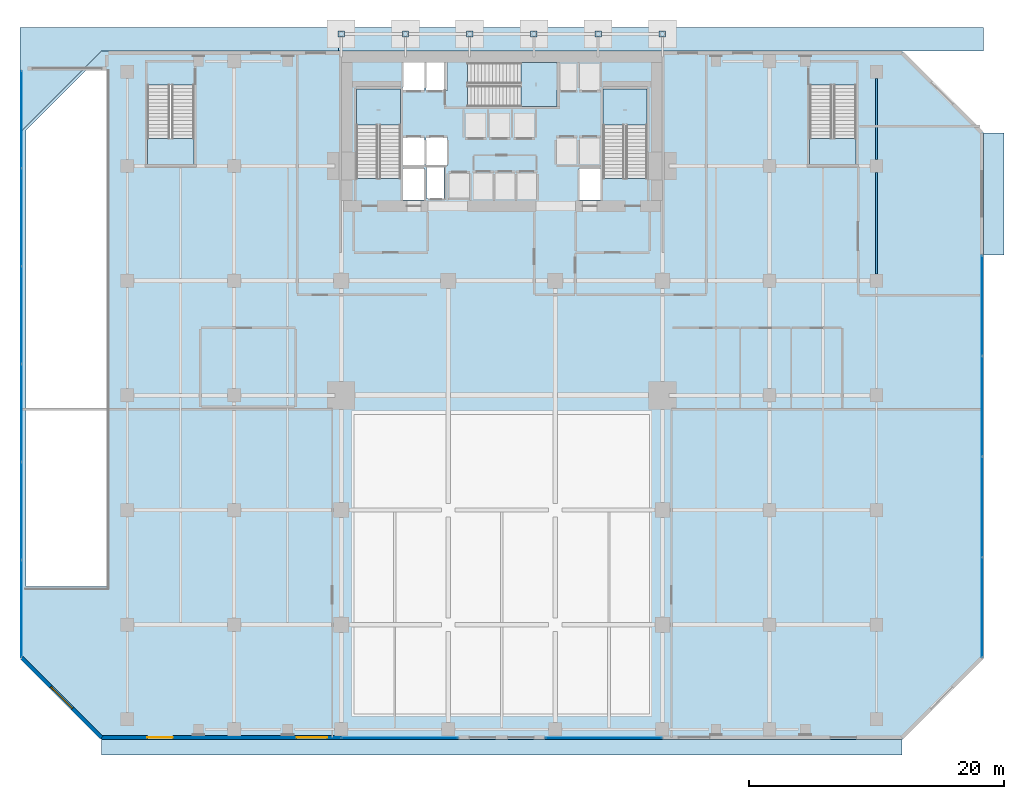
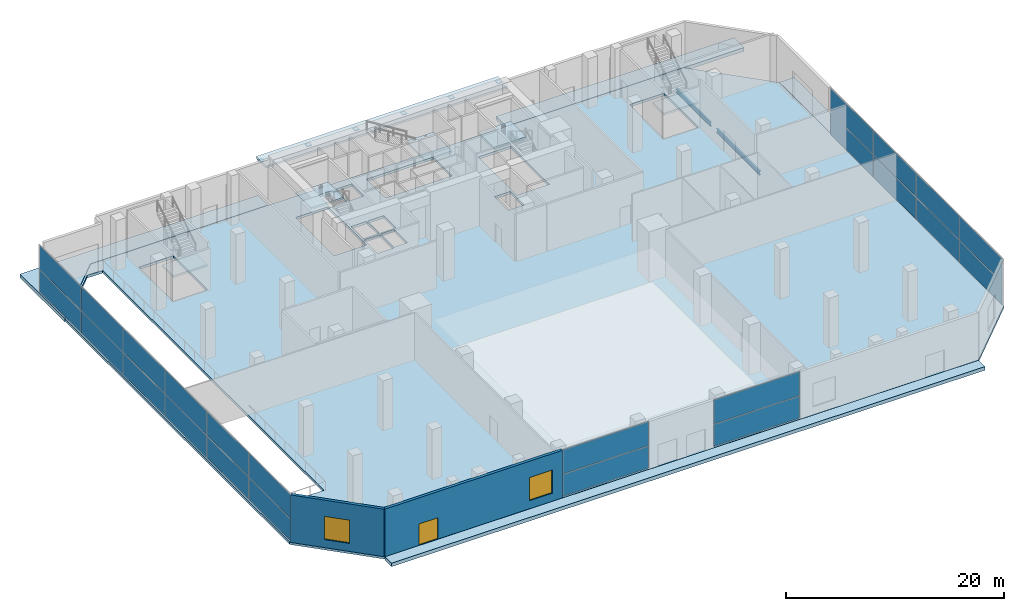
# One storey, part 26 of 35: 30 plates, 11 slabs, 2 beams, 2 walls, 2 windows, 1 door, 3 openings, 9 elements without a shape of their own.
"""IFC4 building model written with IfcOpenShell, lengths in metres."""

from ifc_helpers import new_model, si_unit, direction, frame, frame_2d, origin, origin_2d, place, context, subcontext, project, spatial, polyline, rectangle, i_section, outline, extrude, material, layer, layer_set, material_profile, profile_set, type_object, element, fill, aggregate, save


model = new_model("IFC4")

# Units and contexts
model_context = context("Model", 3, precision=1e-05, world=origin(), true_north=direction((0.0, 1.0)))
body_context = subcontext(model_context, "Body", "Model", "MODEL_VIEW")
ifc_project = project(units=[si_unit("LENGTHUNIT", "METRE"), si_unit("AREAUNIT", "SQUARE_METRE"), si_unit("VOLUMEUNIT", "CUBIC_METRE"), si_unit("PLANEANGLEUNIT", "RADIAN"), si_unit("MASSUNIT", "GRAM", prefix="KILO")], contexts=[model_context])

# Site, building, storey
site_placement = place(None, origin())
site = spatial("IfcSite", under=ifc_project, at=site_placement, CompositionType="ELEMENT")
building_placement = place(site_placement, origin())
building = spatial("IfcBuilding", under=site, at=building_placement, Name="Maruvema Waterfront Hotel and Observation Tower", CompositionType="ELEMENT")
storey_placement = place(building_placement, origin())
storey = spatial("IfcBuildingStorey", under=building, at=storey_placement, Name="L00", CompositionType="ELEMENT", Elevation=0.0)

# Beams
ifc_material_1 = material(Name="Steel ASTM A572 Grade 50", Category="steel")
ifc_material_profile = material_profile(ifc_material_1, i_section(OverallWidth=0.18994140625, OverallDepth=0.45703125, WebThickness=0.009033203125, FlangeThickness=0.014404296875, FilletRadius=0.014892578125, at=origin_2d()), Name="W460x74.0")
ifc_profile_set = profile_set([ifc_material_profile], Name="Steel ASTM A572 Grade 50")
beam_type = type_object("IfcBeamType", Name="Perimeter Spandrel Beam W460x74.0", PredefinedType="SPANDREL", material=ifc_profile_set)
beam_1_placement = place(storey_placement, frame((67.199951171875, 36.52490234375, -0.508544921875), z_axis=(0.0, 1.0, 0.0), x_axis=(-1.0, 0.0, 0.0)))
element("IfcBeam", 1, at=beam_1_placement, inside=storey, type_object=beam_type, Name="L00 Floor Girder NS-39", PredefinedType="SPANDREL", context=body_context, shape_type="SweptSolid", body=[
    extrude(i_section(OverallWidth=0.18994140625, OverallDepth=0.45703125, WebThickness=0.009033203125, FlangeThickness=0.014404296875, FilletRadius=0.014892578125, at=origin_2d()), origin(), (0.0, 0.0, 1.0), 7.9501953125),
])
beam_2_placement = place(storey_placement, frame((67.199951171875, 45.52490234375, -0.508544921875), z_axis=(0.0, 1.0, 0.0), x_axis=(-1.0, 0.0, 0.0)))
element("IfcBeam", 2, at=beam_2_placement, inside=storey, type_object=beam_type, Name="L00 Floor Girder NS-40", PredefinedType="SPANDREL", context=body_context, shape_type="SweptSolid", body=[
    extrude(i_section(OverallWidth=0.18994140625, OverallDepth=0.45703125, WebThickness=0.009033203125, FlangeThickness=0.014404296875, FilletRadius=0.014892578125, at=origin_2d()), origin(), (0.0, 0.0, 1.0), 6.35009765625),
])

# Slabs
ifc_material_2 = material(Name="Concrete C60/75", Category="concrete")
ifc_layer_1 = layer(ifc_material_2, 0.39990234375, Name="Basement Structural Base Slab 400 mm")
ifc_layer_set_1 = layer_set([ifc_layer_1], Name="Concrete C60/75")
slab_type_1 = type_object("IfcSlabType", Name="Basement Structural Base Slab 400 mm", PredefinedType="BASESLAB", material=ifc_layer_set_1)
slab_1_placement = place(storey_placement, frame((0.0, 0.0, -0.39990234375)))
element("IfcSlab", 3, at=slab_1_placement, inside=storey, type_object=slab_type_1, Name="L00 North-West Outdoor Ramp and Exit Apron Slab", PredefinedType="BASESLAB", context=body_context, shape_type="SweptSolid", body=[
    extrude(outline(polyline([(0.0, 55.85009765625), (25.199951171875, 55.85009765625), (25.199951171875, 54.02001953125), (6.3916015625, 54.02001953125), (0.0, 47.62841796875), (0.0, 55.85009765625)])), origin(), (0.0, 0.0, 1.0), 0.39990234375),
])
slab_2_placement = place(storey_placement, frame((0.0, 0.0, -0.39990234375)))
element("IfcSlab", 4, at=slab_2_placement, inside=storey, type_object=slab_type_1, Name="L00 North-East Outdoor Exit Apron Slab", PredefinedType="BASESLAB", context=body_context, shape_type="SweptSolid", body=[
    extrude(outline(polyline([(50.39990234375, 54.010009765625), (75.60009765625, 54.010009765625), (75.60009765625, 55.85009765625), (50.39990234375, 55.85009765625), (50.39990234375, 54.010009765625)])), origin(), (0.0, 0.0, 1.0), 0.39990234375),
])
slab_3_placement = place(storey_placement, frame((0.0, 0.0, -0.39990234375)))
element("IfcSlab", 5, at=slab_3_placement, inside=storey, type_object=slab_type_1, Name="L00 South Waterfront Outdoor Promenade Apron Slab", PredefinedType="BASESLAB", context=body_context, shape_type="SweptSolid", body=[
    extrude(outline(polyline([(6.39990234375, -1.199951171875), (69.199951171875, -1.199951171875), (69.199951171875, -0.010009765625), (6.39990234375, -0.010009765625), (6.39990234375, -1.199951171875)])), origin(), (0.0, 0.0, 1.0), 0.39990234375),
])
slab_4_placement = place(storey_placement, frame((0.0, 0.0, -0.39990234375)))
element("IfcSlab", 6, at=slab_4_placement, inside=storey, type_object=slab_type_1, Name="L00 East Service Loading Dock Outdoor Apron Slab", PredefinedType="BASESLAB", context=body_context, shape_type="SweptSolid", body=[
    extrude(outline(polyline([(75.610107421875, 38.0), (77.199951171875, 38.0), (77.199951171875, 47.60009765625), (75.610107421875, 47.60009765625), (75.610107421875, 38.0)])), origin(), (0.0, 0.0, 1.0), 0.39990234375),
])
ifc_material_3 = material(Name="Precast concrete C45/55", Category="concrete")
ifc_layer_2 = layer(ifc_material_3, 0.219970703125, Name="Entrance Canopy Roof Slab 220 mm")
ifc_layer_set_2 = layer_set([ifc_layer_2], Name="Precast concrete C45/55")
slab_type_2 = type_object("IfcSlabType", Name="Entrance Canopy Roof Slab 220 mm", PredefinedType="ROOF", material=ifc_layer_set_2)
slab_5_placement = place(storey_placement, frame((0.0, 0.0, 4.199951171875)))
element("IfcSlab", 7, at=slab_5_placement, inside=storey, type_object=slab_type_2, Name="L00 North Promenade Entrance Canopy Slab", PredefinedType="ROOF", context=body_context, shape_type="SweptSolid", body=[
    extrude(outline(polyline([(25.0, 54.02001953125), (50.60009765625, 54.02001953125), (50.60009765625, 55.85009765625), (25.0, 55.85009765625), (25.0, 54.02001953125)])), origin(), (0.0, 0.0, 1.0), 0.219970703125),
])

# Plates
ifc_material_4 = material(Name="Steel ABNT NBR 7007 AR 415 (ASTM A572 Grade 50)", Category="steel")
ifc_layer_3 = layer(ifc_material_4, 0.034912109375, Name="Hollow Section Sealed End Cap Plate 35 mm")
ifc_layer_set_3 = layer_set([ifc_layer_3], Name="Steel ABNT NBR 7007 AR 415 (ASTM A572 Grade 50)")
plate_type_1 = type_object("IfcPlateType", Name="Hollow Section Sealed End Cap Plate 35 mm", PredefinedType="USERDEFINED", material=ifc_layer_set_3)
for number, where, z_axis, x_axis, name in (
    (8, (25.199951171875, 55.35009765625, 4.1826171875), (0.0, 0.0, 1.0), (1.0, 0.0, 0.0), "L00 Canopy Column Cap 01"),
    (9, (30.239990234375, 55.35009765625, 4.1826171875), (0.0, 0.0, 1.0), (1.0, 0.0, 0.0), "L00 Canopy Column Cap 02"),
    (10, (35.280029296875, 55.35009765625, 4.1826171875), (0.0, 0.0, 1.0), (1.0, 0.0, 0.0), "L00 Canopy Column Cap 03"),
    (11, (40.320068359375, 55.35009765625, 4.1826171875), (0.0, 0.0, 1.0), (1.0, 0.0, 0.0), "L00 Canopy Column Cap 04"),
    (12, (45.360107421875, 55.35009765625, 4.1826171875), (0.0, 0.0, 1.0), (1.0, 0.0, 0.0), "L00 Canopy Column Cap 05"),
    (13, (50.39990234375, 55.35009765625, 4.1826171875), (0.0, 0.0, 1.0), (1.0, 0.0, 0.0), "L00 Canopy Column Cap 06"),
):
    element("IfcPlate", number, at=place(storey_placement, frame(where, z_axis=z_axis, x_axis=x_axis)), inside=storey, type_object=plate_type_1, Name=name, ObjectType="END_CAP_PLATE", PredefinedType="USERDEFINED", context=body_context, shape_type="SweptSolid", body=[
        extrude(rectangle(XDim=0.5, YDim=0.5, at=origin_2d()), origin(), (0.0, 0.0, 1.0), 0.034912109375),
    ])

# Slab
ifc_material_5 = material(Name="Concrete C50/60", Category="concrete")
ifc_layer_4 = layer(ifc_material_5, 0.280029296875, Name="Reinforced Concrete Floor Slab 280 mm")
ifc_layer_set_4 = layer_set([ifc_layer_4], Name="Concrete C50/60")
slab_type_3 = type_object("IfcSlabType", Name="Reinforced Concrete Floor Slab 280 mm", PredefinedType="FLOOR", material=ifc_layer_set_4)
slab_6_placement = place(storey_placement, frame((0.0, 0.0, -0.280029296875)))
element("IfcSlab", 14, at=slab_6_placement, inside=storey, type_object=slab_type_3, Name="L00 Structural Floor Slab", PredefinedType="FLOOR", context=body_context, shape_type="SweptSolid", body=[
    extrude(outline(polyline([(6.39990234375, 0.0), (69.199951171875, 0.0), (75.60009765625, 6.39990234375), (75.60009765625, 47.60009765625), (69.199951171875, 54.0), (6.39990234375, 54.0), (0.0, 47.60009765625), (0.0, 6.39990234375), (6.39990234375, 0.0)]), holes=[polyline([(0.47998046875, 47.825439453125), (5.214599609375, 52.56005859375), (6.85009765625, 52.56005859375), (6.85009765625, 12.0), (0.47998046875, 12.0), (0.47998046875, 47.825439453125)]), polyline([(13.64990234375, 51.349365234375), (13.64990234375, 45.10009765625), (10.0, 45.10009765625), (10.0, 51.349365234375), (13.64990234375, 51.349365234375)]), polyline([(26.39990234375, 44.00048828125), (26.39990234375, 51.050048828125), (29.85009765625, 51.050048828125), (29.85009765625, 44.00048828125), (26.39990234375, 44.00048828125)]), polyline([(30.050048828125, 44.800048828125), (31.75, 44.800048828125), (31.75, 42.320068359375), (30.050048828125, 42.320068359375), (30.050048828125, 44.800048828125)]), polyline([(30.050048828125, 45.050048828125), (30.050048828125, 47.25), (31.75, 47.25), (31.75, 45.050048828125), (30.050048828125, 45.050048828125)]), polyline([(30.050048828125, 50.89990234375), (30.050048828125, 53.10009765625), (31.75, 53.10009765625), (31.75, 50.89990234375), (30.050048828125, 50.89990234375)]), polyline([(31.8798828125, 44.860107421875), (33.280029296875, 44.860107421875), (33.280029296875, 42.43994140625), (31.8798828125, 42.43994140625), (31.8798828125, 44.860107421875)]), polyline([(31.85009765625, 47.25), (33.550048828125, 47.25), (33.550048828125, 45.050048828125), (31.85009765625, 45.050048828125), (31.85009765625, 47.25)]), polyline([(31.85009765625, 53.10009765625), (33.550048828125, 53.10009765625), (33.550048828125, 50.89990234375), (31.85009765625, 50.89990234375), (31.85009765625, 53.10009765625)]), polyline([(35.1005859375, 53.10009765625), (42.14990234375, 53.10009765625), (42.14990234375, 49.64990234375), (35.1005859375, 49.64990234375), (35.1005859375, 53.10009765625)]), polyline([(43.85009765625, 44.800048828125), (45.550048828125, 44.800048828125), (45.550048828125, 42.320068359375), (43.85009765625, 42.320068359375), (43.85009765625, 44.800048828125)]), polyline([(45.75, 44.00048828125), (45.75, 51.050048828125), (49.199951171875, 51.050048828125), (49.199951171875, 44.00048828125), (45.75, 44.00048828125)]), polyline([(65.60009765625, 51.349365234375), (65.60009765625, 45.10009765625), (61.949951171875, 45.10009765625), (61.949951171875, 51.349365234375), (65.60009765625, 51.349365234375)])]), origin(), (0.0, 0.0, 1.0), 0.280029296875),
])

# Curtain wall, plates
ifc_material_6 = material(Name="Anodised bronze aluminium and solar-control low-E IGU", Category="aluminium")
ifc_layer_5 = layer(ifc_material_6, 0.159912109375, Name="Podium Waterfront Storefront Curtain Wall System CW-01")
ifc_layer_set_5 = layer_set([ifc_layer_5], Name="Anodised bronze aluminium and solar-control low-E IGU")
curtain_wall_type = type_object("IfcCurtainWallType", Name="Podium Waterfront Storefront Curtain Wall System CW-01", PredefinedType="USERDEFINED", material=ifc_layer_set_5)
curtain_wall_1_placement = place(storey_placement, origin())
curtain_wall_1 = element("IfcCurtainWall", 15, at=curtain_wall_1_placement, inside=storey, type_object=curtain_wall_type, Name="L00 Curtain Wall CW-L00-SW", ObjectType="UNITISED CURTAIN WALL", PredefinedType="USERDEFINED")
ifc_material_7 = material(Name="Laminated low-E solar-control double glazing", Category="glass")
ifc_layer_6 = layer(ifc_material_7, 0.035888671875, Name="Solar Control Double-Glazed Curtain Panel 36 mm")
ifc_layer_set_6 = layer_set([ifc_layer_6], Name="Laminated low-E solar-control double glazing")
plate_type_2 = type_object("IfcPlateType", Name="Solar Control Double-Glazed Curtain Panel 36 mm", PredefinedType="CURTAIN_PANEL", material=ifc_layer_set_6)
plate_1_placement = place(storey_placement, frame((29.800048828125, 0.1201171875, 0.06005859375), z_axis=(0.0, 0.0, 1.0), x_axis=(1.0, 0.0, 0.0)))
plate_1 = element("IfcPlate", 16, at=plate_1_placement, type_object=plate_type_2, Name="CW-01 panel 1.1", PredefinedType="CURTAIN_PANEL", context=body_context, shape_type="SweptSolid", body=[
    extrude(rectangle(XDim=9.080078125, YDim=0.028076171875, at=origin_2d()), origin(), (0.0, 0.0, 1.0), 2.4599609375),
])
plate_2_placement = place(storey_placement, frame((29.800048828125, 0.1201171875, 2.580078125), z_axis=(0.0, 0.0, 1.0), x_axis=(1.0, 0.0, 0.0)))
plate_2 = element("IfcPlate", 17, at=plate_2_placement, type_object=plate_type_2, Name="CW-01 panel 1.2", PredefinedType="CURTAIN_PANEL", context=body_context, shape_type="SweptSolid", body=[
    extrude(rectangle(XDim=9.080078125, YDim=0.028076171875, at=origin_2d()), origin(), (0.0, 0.0, 1.0), 2.679931640625),
])
aggregate(curtain_wall_1, [plate_1, plate_2])

curtain_wall_2_placement = place(storey_placement, origin())
curtain_wall_2 = element("IfcCurtainWall", 18, at=curtain_wall_2_placement, inside=storey, type_object=curtain_wall_type, Name="L00 Curtain Wall CW-L00-SE", ObjectType="UNITISED CURTAIN WALL", PredefinedType="USERDEFINED")
plate_3_placement = place(storey_placement, frame((45.800048828125, 0.1201171875, 0.06005859375), z_axis=(0.0, 0.0, 1.0), x_axis=(1.0, 0.0, 0.0)))
plate_3 = element("IfcPlate", 19, at=plate_3_placement, type_object=plate_type_2, Name="CW-01 panel 1.1", PredefinedType="CURTAIN_PANEL", context=body_context, shape_type="SweptSolid", body=[
    extrude(rectangle(XDim=9.080078125, YDim=0.028076171875, at=origin_2d()), origin(), (0.0, 0.0, 1.0), 2.4599609375),
])
plate_4_placement = place(storey_placement, frame((45.800048828125, 0.1201171875, 2.580078125), z_axis=(0.0, 0.0, 1.0), x_axis=(1.0, 0.0, 0.0)))
plate_4 = element("IfcPlate", 20, at=plate_4_placement, type_object=plate_type_2, Name="CW-01 panel 1.2", PredefinedType="CURTAIN_PANEL", context=body_context, shape_type="SweptSolid", body=[
    extrude(rectangle(XDim=9.080078125, YDim=0.028076171875, at=origin_2d()), origin(), (0.0, 0.0, 1.0), 2.679931640625),
])
aggregate(curtain_wall_2, [plate_3, plate_4])

curtain_wall_3_placement = place(storey_placement, origin())
curtain_wall_3 = element("IfcCurtainWall", 21, at=curtain_wall_3_placement, inside=storey, type_object=curtain_wall_type, Name="L00 Curtain Wall CW-L00-ES", ObjectType="UNITISED CURTAIN WALL", PredefinedType="USERDEFINED")
plate_5_placement = place(storey_placement, frame((75.47998046875, 10.364990234375, 0.06005859375), z_axis=(0.0, 0.0, 1.0), x_axis=(0.0, 1.0, 0.0)))
plate_5 = element("IfcPlate", 22, at=plate_5_placement, type_object=plate_type_2, Name="CW-01 panel 1.1", PredefinedType="CURTAIN_PANEL", context=body_context, shape_type="SweptSolid", body=[
    extrude(rectangle(XDim=7.81005859375, YDim=0.028076171875, at=origin_2d()), origin(), (0.0, 0.0, 1.0), 2.4599609375),
])
plate_6_placement = place(storey_placement, frame((75.47998046875, 10.364990234375, 2.580078125), z_axis=(0.0, 0.0, 1.0), x_axis=(0.0, 1.0, 0.0)))
plate_6 = element("IfcPlate", 23, at=plate_6_placement, type_object=plate_type_2, Name="CW-01 panel 1.2", PredefinedType="CURTAIN_PANEL", context=body_context, shape_type="SweptSolid", body=[
    extrude(rectangle(XDim=7.81005859375, YDim=0.028076171875, at=origin_2d()), origin(), (0.0, 0.0, 1.0), 2.679931640625),
])
plate_7_placement = place(storey_placement, frame((75.47998046875, 18.25, 0.06005859375), z_axis=(0.0, 0.0, 1.0), x_axis=(0.0, 1.0, 0.0)))
plate_7 = element("IfcPlate", 24, at=plate_7_placement, type_object=plate_type_2, Name="CW-01 panel 2.1", PredefinedType="CURTAIN_PANEL", context=body_context, shape_type="SweptSolid", body=[
    extrude(rectangle(XDim=7.840087890625, YDim=0.028076171875, at=origin_2d()), origin(), (0.0, 0.0, 1.0), 2.4599609375),
])
plate_8_placement = place(storey_placement, frame((75.47998046875, 18.25, 2.580078125), z_axis=(0.0, 0.0, 1.0), x_axis=(0.0, 1.0, 0.0)))
plate_8 = element("IfcPlate", 25, at=plate_8_placement, type_object=plate_type_2, Name="CW-01 panel 2.2", PredefinedType="CURTAIN_PANEL", context=body_context, shape_type="SweptSolid", body=[
    extrude(rectangle(XDim=7.840087890625, YDim=0.028076171875, at=origin_2d()), origin(), (0.0, 0.0, 1.0), 2.679931640625),
])
plate_9_placement = place(storey_placement, frame((75.47998046875, 26.14990234375, 0.06005859375), z_axis=(0.0, 0.0, 1.0), x_axis=(0.0, 1.0, 0.0)))
plate_9 = element("IfcPlate", 26, at=plate_9_placement, type_object=plate_type_2, Name="CW-01 panel 3.1", PredefinedType="CURTAIN_PANEL", context=body_context, shape_type="SweptSolid", body=[
    extrude(rectangle(XDim=7.840087890625, YDim=0.028076171875, at=origin_2d()), origin(), (0.0, 0.0, 1.0), 2.4599609375),
])
plate_10_placement = place(storey_placement, frame((75.47998046875, 26.14990234375, 2.580078125), z_axis=(0.0, 0.0, 1.0), x_axis=(0.0, 1.0, 0.0)))
plate_10 = element("IfcPlate", 27, at=plate_10_placement, type_object=plate_type_2, Name="CW-01 panel 3.2", PredefinedType="CURTAIN_PANEL", context=body_context, shape_type="SweptSolid", body=[
    extrude(rectangle(XDim=7.840087890625, YDim=0.028076171875, at=origin_2d()), origin(), (0.0, 0.0, 1.0), 2.679931640625),
])
plate_11_placement = place(storey_placement, frame((75.47998046875, 34.034912109375, 0.06005859375), z_axis=(0.0, 0.0, 1.0), x_axis=(0.0, 1.0, 0.0)))
plate_11 = element("IfcPlate", 28, at=plate_11_placement, type_object=plate_type_2, Name="CW-01 panel 4.1", PredefinedType="CURTAIN_PANEL", context=body_context, shape_type="SweptSolid", body=[
    extrude(rectangle(XDim=7.81005859375, YDim=0.028076171875, at=origin_2d()), origin(), (0.0, 0.0, 1.0), 2.4599609375),
])
plate_12_placement = place(storey_placement, frame((75.47998046875, 34.034912109375, 2.580078125), z_axis=(0.0, 0.0, 1.0), x_axis=(0.0, 1.0, 0.0)))
plate_12 = element("IfcPlate", 29, at=plate_12_placement, type_object=plate_type_2, Name="CW-01 panel 4.2", PredefinedType="CURTAIN_PANEL", context=body_context, shape_type="SweptSolid", body=[
    extrude(rectangle(XDim=7.81005859375, YDim=0.028076171875, at=origin_2d()), origin(), (0.0, 0.0, 1.0), 2.679931640625),
])
aggregate(curtain_wall_3, [plate_5, plate_6, plate_7, plate_8, plate_9, plate_10, plate_11, plate_12])

curtain_wall_4_placement = place(storey_placement, origin())
curtain_wall_4 = element("IfcCurtainWall", 30, at=curtain_wall_4_placement, inside=storey, type_object=curtain_wall_type, Name="L00 Curtain Wall CW-L00-W", ObjectType="UNITISED CURTAIN WALL", PredefinedType="USERDEFINED")
plate_13_placement = place(storey_placement, frame((0.1201171875, 48.643310546875, 0.06005859375), z_axis=(0.0, 0.0, 1.0), x_axis=(0.0, -1.0, 0.0)))
plate_13 = element("IfcPlate", 31, at=plate_13_placement, type_object=plate_type_2, Name="CW-01 panel 1.1", PredefinedType="CURTAIN_PANEL", context=body_context, shape_type="SweptSolid", body=[
    extrude(rectangle(XDim=7.59326171875, YDim=0.028076171875, at=origin_2d()), origin(), (0.0, 0.0, 1.0), 2.4599609375),
])
plate_14_placement = place(storey_placement, frame((0.1201171875, 48.643310546875, 2.580078125), z_axis=(0.0, 0.0, 1.0), x_axis=(0.0, -1.0, 0.0)))
plate_14 = element("IfcPlate", 32, at=plate_14_placement, type_object=plate_type_2, Name="CW-01 panel 1.2", PredefinedType="CURTAIN_PANEL", context=body_context, shape_type="SweptSolid", body=[
    extrude(rectangle(XDim=7.59326171875, YDim=0.028076171875, at=origin_2d()), origin(), (0.0, 0.0, 1.0), 2.679931640625),
])
plate_15_placement = place(storey_placement, frame((0.1201171875, 40.97509765625, 0.06005859375), z_axis=(0.0, 0.0, 1.0), x_axis=(0.0, -1.0, 0.0)))
plate_15 = element("IfcPlate", 33, at=plate_15_placement, type_object=plate_type_2, Name="CW-01 panel 2.1", PredefinedType="CURTAIN_PANEL", context=body_context, shape_type="SweptSolid", body=[
    extrude(rectangle(XDim=7.623291015625, YDim=0.028076171875, at=origin_2d()), origin(), (0.0, 0.0, 1.0), 2.4599609375),
])
plate_16_placement = place(storey_placement, frame((0.1201171875, 40.97509765625, 2.580078125), z_axis=(0.0, 0.0, 1.0), x_axis=(0.0, -1.0, 0.0)))
plate_16 = element("IfcPlate", 34, at=plate_16_placement, type_object=plate_type_2, Name="CW-01 panel 2.2", PredefinedType="CURTAIN_PANEL", context=body_context, shape_type="SweptSolid", body=[
    extrude(rectangle(XDim=7.623291015625, YDim=0.028076171875, at=origin_2d()), origin(), (0.0, 0.0, 1.0), 2.679931640625),
])
plate_17_placement = place(storey_placement, frame((0.1201171875, 33.291748046875, 0.06005859375), z_axis=(0.0, 0.0, 1.0), x_axis=(0.0, -1.0, 0.0)))
plate_17 = element("IfcPlate", 35, at=plate_17_placement, type_object=plate_type_2, Name="CW-01 panel 3.1", PredefinedType="CURTAIN_PANEL", context=body_context, shape_type="SweptSolid", body=[
    extrude(rectangle(XDim=7.623291015625, YDim=0.028076171875, at=origin_2d()), origin(), (0.0, 0.0, 1.0), 2.4599609375),
])
plate_18_placement = place(storey_placement, frame((0.1201171875, 33.291748046875, 2.580078125), z_axis=(0.0, 0.0, 1.0), x_axis=(0.0, -1.0, 0.0)))
plate_18 = element("IfcPlate", 36, at=plate_18_placement, type_object=plate_type_2, Name="CW-01 panel 3.2", PredefinedType="CURTAIN_PANEL", context=body_context, shape_type="SweptSolid", body=[
    extrude(rectangle(XDim=7.623291015625, YDim=0.028076171875, at=origin_2d()), origin(), (0.0, 0.0, 1.0), 2.679931640625),
])
plate_19_placement = place(storey_placement, frame((0.1201171875, 25.6083984375, 0.06005859375), z_axis=(0.0, 0.0, 1.0), x_axis=(0.0, -1.0, 0.0)))
plate_19 = element("IfcPlate", 37, at=plate_19_placement, type_object=plate_type_2, Name="CW-01 panel 4.1", PredefinedType="CURTAIN_PANEL", context=body_context, shape_type="SweptSolid", body=[
    extrude(rectangle(XDim=7.623291015625, YDim=0.028076171875, at=origin_2d()), origin(), (0.0, 0.0, 1.0), 2.4599609375),
])
plate_20_placement = place(storey_placement, frame((0.1201171875, 25.6083984375, 2.580078125), z_axis=(0.0, 0.0, 1.0), x_axis=(0.0, -1.0, 0.0)))
plate_20 = element("IfcPlate", 38, at=plate_20_placement, type_object=plate_type_2, Name="CW-01 panel 4.2", PredefinedType="CURTAIN_PANEL", context=body_context, shape_type="SweptSolid", body=[
    extrude(rectangle(XDim=7.623291015625, YDim=0.028076171875, at=origin_2d()), origin(), (0.0, 0.0, 1.0), 2.679931640625),
])
plate_21_placement = place(storey_placement, frame((0.1201171875, 17.925048828125, 0.06005859375), z_axis=(0.0, 0.0, 1.0), x_axis=(0.0, -1.0, 0.0)))
plate_21 = element("IfcPlate", 39, at=plate_21_placement, type_object=plate_type_2, Name="CW-01 panel 5.1", PredefinedType="CURTAIN_PANEL", context=body_context, shape_type="SweptSolid", body=[
    extrude(rectangle(XDim=7.623291015625, YDim=0.028076171875, at=origin_2d()), origin(), (0.0, 0.0, 1.0), 2.4599609375),
])
plate_22_placement = place(storey_placement, frame((0.1201171875, 17.925048828125, 2.580078125), z_axis=(0.0, 0.0, 1.0), x_axis=(0.0, -1.0, 0.0)))
plate_22 = element("IfcPlate", 40, at=plate_22_placement, type_object=plate_type_2, Name="CW-01 panel 5.2", PredefinedType="CURTAIN_PANEL", context=body_context, shape_type="SweptSolid", body=[
    extrude(rectangle(XDim=7.623291015625, YDim=0.028076171875, at=origin_2d()), origin(), (0.0, 0.0, 1.0), 2.679931640625),
])
plate_23_placement = place(storey_placement, frame((0.1201171875, 10.256591796875, 0.06005859375), z_axis=(0.0, 0.0, 1.0), x_axis=(0.0, -1.0, 0.0)))
plate_23 = element("IfcPlate", 41, at=plate_23_placement, type_object=plate_type_2, Name="CW-01 panel 6.1", PredefinedType="CURTAIN_PANEL", context=body_context, shape_type="SweptSolid", body=[
    extrude(rectangle(XDim=7.59326171875, YDim=0.028076171875, at=origin_2d()), origin(), (0.0, 0.0, 1.0), 2.4599609375),
])
plate_24_placement = place(storey_placement, frame((0.1201171875, 10.256591796875, 2.580078125), z_axis=(0.0, 0.0, 1.0), x_axis=(0.0, -1.0, 0.0)))
plate_24 = element("IfcPlate", 42, at=plate_24_placement, type_object=plate_type_2, Name="CW-01 panel 6.2", PredefinedType="CURTAIN_PANEL", context=body_context, shape_type="SweptSolid", body=[
    extrude(rectangle(XDim=7.59326171875, YDim=0.028076171875, at=origin_2d()), origin(), (0.0, 0.0, 1.0), 2.679931640625),
])
aggregate(curtain_wall_4, [plate_13, plate_14, plate_15, plate_16, plate_17, plate_18, plate_19, plate_20, plate_21, plate_22, plate_23, plate_24])

# Stair, slab
ifc_material_8 = material(Name="Concrete C50/60", Category="concrete")
stair_type_1 = type_object("IfcStairType", Name="Dogleg Exit Stair 1650 mm (32R x 175.0 mm)", PredefinedType="HALF_TURN_STAIR", material=ifc_material_8)
stair_1_placement = place(storey_placement, origin())
stair_1 = element("IfcStair", 43, at=stair_1_placement, inside=storey, type_object=stair_type_1, Name="L00 ST-01", PredefinedType="HALF_TURN_STAIR")
ifc_material_9 = material(Name="Concrete C50/60", Category="concrete")
ifc_layer_7 = layer(ifc_material_9, 0.219970703125, Name="Stair Concrete Landing Slab 220 mm")
ifc_layer_set_7 = layer_set([ifc_layer_7], Name="Concrete C50/60")
slab_type_4 = type_object("IfcSlabType", Name="Stair Concrete Landing Slab 220 mm", PredefinedType="LANDING", material=ifc_layer_set_7)
slab_7_placement = place(storey_placement, frame((0.0, 0.0, 2.580078125)))
slab_7 = element("IfcSlab", 44, at=slab_7_placement, type_object=slab_type_4, Name="ST-01 landing 1", PredefinedType="LANDING", context=body_context, shape_type="SweptSolid", body=[
    extrude(outline(polyline([(29.85009765625, 48.199951171875), (29.85009765625, 51.050048828125), (26.39990234375, 51.050048828125), (26.39990234375, 48.199951171875), (29.85009765625, 48.199951171875)])), origin(), (0.0, 0.0, 1.0), 0.219970703125),
])
aggregate(stair_1, [slab_7])

stair_2_placement = place(storey_placement, origin())
stair_2 = element("IfcStair", 45, at=stair_2_placement, inside=storey, type_object=stair_type_1, Name="L00 ST-02", PredefinedType="HALF_TURN_STAIR")
slab_8_placement = place(storey_placement, frame((0.0, 0.0, 2.580078125)))
slab_8 = element("IfcSlab", 46, at=slab_8_placement, type_object=slab_type_4, Name="ST-02 landing 1", PredefinedType="LANDING", context=body_context, shape_type="SweptSolid", body=[
    extrude(outline(polyline([(39.300048828125, 49.64990234375), (42.14990234375, 49.64990234375), (42.14990234375, 53.10009765625), (39.300048828125, 53.10009765625), (39.300048828125, 49.64990234375)])), origin(), (0.0, 0.0, 1.0), 0.219970703125),
])
aggregate(stair_2, [slab_8])

stair_3_placement = place(storey_placement, origin())
stair_3 = element("IfcStair", 47, at=stair_3_placement, inside=storey, type_object=stair_type_1, Name="L00 ST-03", PredefinedType="HALF_TURN_STAIR")
slab_9_placement = place(storey_placement, frame((0.0, 0.0, 2.580078125)))
slab_9 = element("IfcSlab", 48, at=slab_9_placement, type_object=slab_type_4, Name="ST-03 landing 1", PredefinedType="LANDING", context=body_context, shape_type="SweptSolid", body=[
    extrude(outline(polyline([(49.199951171875, 48.199951171875), (49.199951171875, 51.050048828125), (45.75, 51.050048828125), (45.75, 48.199951171875), (49.199951171875, 48.199951171875)])), origin(), (0.0, 0.0, 1.0), 0.219970703125),
])
aggregate(stair_3, [slab_9])

ifc_material_10 = material(Name="Concrete C50/60", Category="concrete")
stair_type_2 = type_object("IfcStairType", Name="Dogleg Exit Stair 1750 mm (32R x 175.0 mm)", PredefinedType="HALF_TURN_STAIR", material=ifc_material_10)
stair_4_placement = place(storey_placement, origin())
stair_4 = element("IfcStair", 49, at=stair_4_placement, inside=storey, type_object=stair_type_2, Name="L00 ST-04", PredefinedType="HALF_TURN_STAIR")
slab_10_placement = place(storey_placement, frame((0.0, 0.0, 2.580078125)))
slab_10 = element("IfcSlab", 50, at=slab_10_placement, type_object=slab_type_4, Name="ST-04 landing 1", PredefinedType="LANDING", context=body_context, shape_type="SweptSolid", body=[
    extrude(outline(polyline([(10.0, 47.14990234375), (10.0, 45.10009765625), (13.64990234375, 45.10009765625), (13.64990234375, 47.14990234375), (10.0, 47.14990234375)])), origin(), (0.0, 0.0, 1.0), 0.219970703125),
])
aggregate(stair_4, [slab_10])

stair_5_placement = place(storey_placement, origin())
stair_5 = element("IfcStair", 51, at=stair_5_placement, inside=storey, type_object=stair_type_2, Name="L00 ST-05", PredefinedType="HALF_TURN_STAIR")
slab_11_placement = place(storey_placement, frame((0.0, 0.0, 2.580078125)))
slab_11 = element("IfcSlab", 52, at=slab_11_placement, type_object=slab_type_4, Name="ST-05 landing 1", PredefinedType="LANDING", context=body_context, shape_type="SweptSolid", body=[
    extrude(outline(polyline([(61.949951171875, 47.14990234375), (61.949951171875, 45.10009765625), (65.60009765625, 45.10009765625), (65.60009765625, 47.14990234375), (61.949951171875, 47.14990234375)])), origin(), (0.0, 0.0, 1.0), 0.219970703125),
])
aggregate(stair_5, [slab_11])

# Wall, opening, window
ifc_material_11 = material(Name="Precast concrete C45/55 with honed Pernambuco granite facing", Category="masonry")
ifc_layer_8 = layer(ifc_material_11, 0.300048828125, Name="Podium Waterfront Granite Colonnade Wall 300 mm")
ifc_layer_set_8 = layer_set([ifc_layer_8], Name="Precast concrete C45/55 with honed Pernambuco granite facing")
wall_type = type_object("IfcWallType", Name="Podium Waterfront Granite Colonnade Wall 300 mm", PredefinedType="SOLIDWALL", material=ifc_layer_set_8)
wall_1_placement = place(storey_placement, frame((0.14990234375, 6.39990234375, 0.0), z_axis=(0.0, 0.0, 1.0), x_axis=(0.707106781187, -0.707106781187, 0.0)))
wall_1 = element("IfcWall", 53, at=wall_1_placement, inside=storey, type_object=wall_type, Name="L00 Podium Chamfer Granite Pier Wall SW", PredefinedType="SOLIDWALL", context=body_context, shape_type="SweptSolid", body=[
    extrude(rectangle(XDim=8.8388671875, YDim=0.300048828125, at=frame_2d((4.41943359375, 0.0))), origin(), (0.0, 0.0, 1.0), 5.320068359375),
])
opening_1_placement = place(wall_1_placement, frame((3.199951171875, 0.0, 0.89990234375)))
opening_1 = element("IfcOpeningElement", 54, at=opening_1_placement, cuts=wall_1, Name="Opening WN-04", PredefinedType="OPENING", context=body_context, shape_type="SweptSolid", body=[
    extrude(rectangle(XDim=2.39990234375, YDim=2.60009765625, at=frame_2d((1.199951171875, 1.300048828125))), frame((0.0, 0.16015625, 0.0), z_axis=(0.0, -1.0, 0.0), x_axis=(1.0, 0.0, 0.0)), (0.0, 0.0, 1.0), 0.320068359375),
])
ifc_material_12 = material(Name="Anodised bronze aluminium frame with laminated low-E glass", Category="aluminium")
window_type = type_object("IfcWindowType", Name="Podium Waterfront Punched Window 2400x2600 mm", PartitioningType="SINGLE_PANEL", PredefinedType="WINDOW", material=ifc_material_12)
window_1_placement = place(opening_1_placement, origin())
window_1 = element("IfcWindow", 55, at=window_1_placement, inside=storey, type_object=window_type, Name="L00 Podium Chamfer Feature Window SW", OverallHeight=2.60009765625, OverallWidth=2.39990234375, PartitioningType="SINGLE_PANEL", PredefinedType="WINDOW", context=body_context, shape_type="SweptSolid", body=[
    extrude(rectangle(XDim=2.39990234375, YDim=2.60009765625, at=frame_2d((1.199951171875, 1.300048828125))), frame((0.0, 0.030029296875, 0.0), z_axis=(0.0, -1.0, 0.0), x_axis=(1.0, 0.0, 0.0)), (0.0, 0.0, 1.0), 0.06005859375),
])
fill(opening_1, window_1)

# Wall, openings, window, door
wall_2_placement = place(storey_placement, frame((25.199951171875, 0.14990234375, 0.0), z_axis=(0.0, 0.0, 1.0), x_axis=(-1.0, 0.0, 0.0)))
wall_2 = element("IfcWall", 56, at=wall_2_placement, inside=storey, type_object=wall_type, Name="L00 South Waterfront Entrance Wall SW1", PredefinedType="SOLIDWALL", context=body_context, shape_type="SweptSolid", body=[
    extrude(rectangle(XDim=18.800048828125, YDim=0.300048828125, at=frame_2d((9.39990234375, 0.0))), origin(), (0.0, 0.0, 1.0), 5.320068359375),
])
opening_2_placement = place(wall_2_placement, frame((13.199951171875, 0.0, 0.0)))
opening_2 = element("IfcOpeningElement", 57, at=opening_2_placement, cuts=wall_2, Name="Opening ED-02", PredefinedType="OPENING", context=body_context, shape_type="SweptSolid", body=[
    extrude(rectangle(XDim=2.0, YDim=2.39990234375, at=frame_2d((1.0, 1.199951171875))), frame((0.0, 0.16015625, 0.0), z_axis=(0.0, -1.0, 0.0), x_axis=(1.0, 0.0, 0.0)), (0.0, 0.0, 1.0), 0.320068359375),
])
opening_3_placement = place(wall_2_placement, frame((1.10009765625, 0.0, 0.89990234375)))
opening_3 = element("IfcOpeningElement", 58, at=opening_3_placement, cuts=wall_2, Name="Opening WN-04", PredefinedType="OPENING", context=body_context, shape_type="SweptSolid", body=[
    extrude(rectangle(XDim=2.39990234375, YDim=2.60009765625, at=frame_2d((1.199951171875, 1.300048828125))), frame((0.0, 0.16015625, 0.0), z_axis=(0.0, -1.0, 0.0), x_axis=(1.0, 0.0, 0.0)), (0.0, 0.0, 1.0), 0.320068359375),
])
window_2_placement = place(opening_3_placement, origin())
window_2 = element("IfcWindow", 59, at=window_2_placement, inside=storey, type_object=window_type, Name="L00 Waterfront Display Window SW1", OverallHeight=2.60009765625, OverallWidth=2.39990234375, PartitioningType="SINGLE_PANEL", PredefinedType="WINDOW", context=body_context, shape_type="SweptSolid", body=[
    extrude(rectangle(XDim=2.39990234375, YDim=2.60009765625, at=frame_2d((1.199951171875, 1.300048828125))), frame((0.0, 0.030029296875, 0.0), z_axis=(0.0, -1.0, 0.0), x_axis=(1.0, 0.0, 0.0)), (0.0, 0.0, 1.0), 0.06005859375),
])
fill(opening_3, window_2)
ifc_material_13 = material(Name="Anodised bronze aluminium and laminated safety glass", Category="aluminium")
door_type = type_object("IfcDoorType", Name="Waterfront Entrance Glazed Double Door 2000x2400 mm", OperationType="DOUBLE_DOOR_SINGLE_SWING", PredefinedType="DOOR", material=ifc_material_13)
door_placement = place(opening_2_placement, origin())
door = element("IfcDoor", 60, at=door_placement, inside=storey, type_object=door_type, Name="L00 Waterfront Retail Final Exit Door SW1", OperationType="DOUBLE_DOOR_SINGLE_SWING", OverallHeight=2.39990234375, OverallWidth=2.0, PredefinedType="DOOR", context=body_context, shape_type="SweptSolid", body=[
    extrude(rectangle(XDim=2.0, YDim=2.39990234375, at=frame_2d((1.0, 1.199951171875))), frame((0.0, 0.02490234375, 0.0), z_axis=(0.0, -1.0, 0.0), x_axis=(1.0, 0.0, 0.0)), (0.0, 0.0, 1.0), 0.050048828125),
])
fill(opening_2, door)

save(model, "model.ifc")
